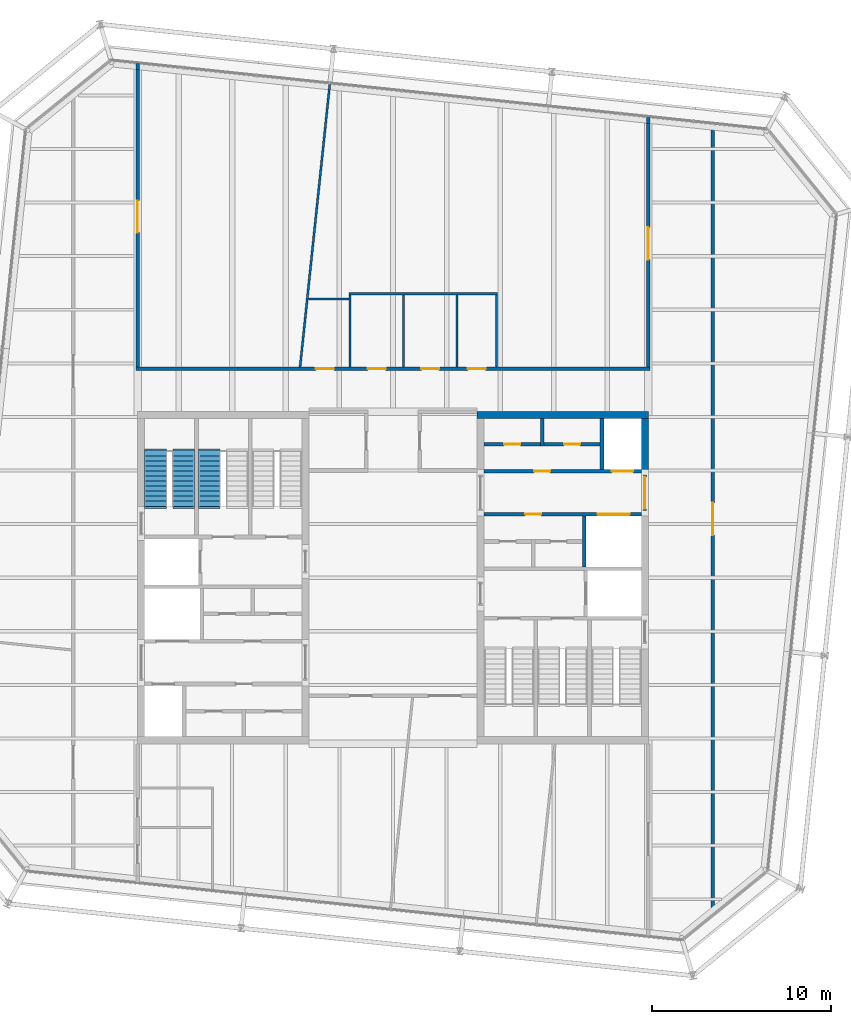
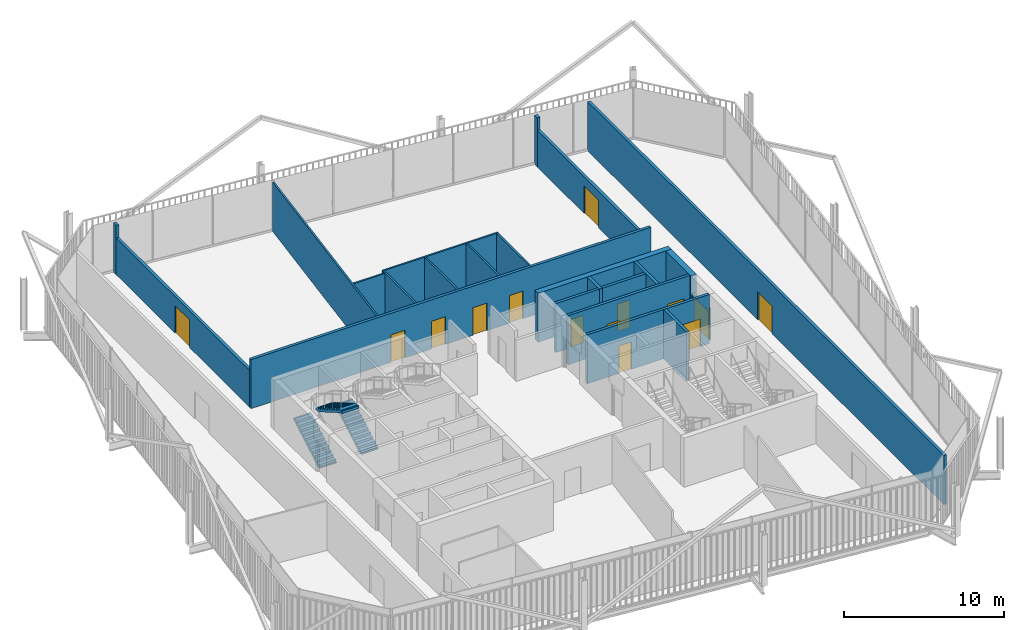
# One storey, part 19 of 21: 22 walls, 14 doors, 3 stair flights, 14 openings, 2 elements without a shape of their own.
"""IFC4 building model written with IfcOpenShell, lengths in metres."""

from ifc_helpers import new_model, si_unit, direction, frame, frame_2d, origin, place, context, subcontext, project, spatial, polyline, rectangle, outline, extrude, material, layer, layer_set, type_object, element, fill, aggregate, save


model = new_model("IFC4")

# Units and contexts
model_context = context("Model", 3, precision=1e-05, world=origin(), true_north=direction((0.0, 1.0)))
body_context = subcontext(model_context, "Body", "Model", "MODEL_VIEW")
ifc_project = project(units=[si_unit("LENGTHUNIT", "METRE"), si_unit("AREAUNIT", "SQUARE_METRE"), si_unit("VOLUMEUNIT", "CUBIC_METRE"), si_unit("PLANEANGLEUNIT", "RADIAN"), si_unit("MASSUNIT", "GRAM", prefix="KILO")], contexts=[model_context])

# Site, building, storey
site_placement = place(None, origin())
site = spatial("IfcSite", under=ifc_project, at=site_placement, CompositionType="ELEMENT")
building_placement = place(site_placement, origin())
building = spatial("IfcBuilding", under=site, at=building_placement, Name="Millrace Tower", CompositionType="ELEMENT")
storey_placement = place(building_placement, frame((0.0, 0.0, 326.5)))
storey = spatial("IfcBuildingStorey", under=building, at=storey_placement, Name="L75", CompositionType="ELEMENT", Elevation=326.5)

# Walls
ifc_material_1 = material(Name="Concrete C60", Category="concrete")
ifc_layer_1 = layer(ifc_material_1, 0.39990234375)
ifc_layer_set_1 = layer_set([ifc_layer_1], Name="Concrete C60")
wall_type_1 = type_object("IfcWallType", Name="Core wall 400 Concrete C60", PredefinedType="SHEAR", material=ifc_layer_set_1)
wall_1_placement = place(storey_placement, frame((14.300048828125, 9.10009765625, 0.0), z_axis=(0.0, 0.0, 1.0), x_axis=(-1.0, 0.0, 0.0)))
element("IfcWall", 1, at=wall_1_placement, inside=storey, type_object=wall_type_1, Name="Core wall E L75", PredefinedType="SHEAR", context=body_context, shape_type="SweptSolid", body=[
    extrude(rectangle(XDim=9.60009765625, YDim=0.39990234375, at=frame_2d((4.800048828125, 0.0))), origin(), (0.0, 0.0, 1.0), 3.739990234375),
])
wall_2_placement = place(storey_placement, frame((14.10009765625, 8.89990234375, 0.0), z_axis=(0.0, 0.0, 1.0), x_axis=(0.0, -1.0, 0.0)))
element("IfcWall", 2, at=wall_2_placement, inside=storey, type_object=wall_type_1, Name="Core wall E L75", PredefinedType="SHEAR", context=body_context, shape_type="SweptSolid", body=[
    extrude(rectangle(XDim=3.14990234375, YDim=0.39990234375, at=frame_2d((1.574951171875, 0.0))), origin(), (0.0, 0.0, 1.0), 3.739990234375),
])

# Wall, openings, doors
ifc_material_2 = material(Name="Masonry partition, fire-rated", Category="masonry")
ifc_layer_2 = layer(ifc_material_2, 0.199951171875)
ifc_layer_set_2 = layer_set([ifc_layer_2], Name="Masonry partition, fire-rated")
wall_type_2 = type_object("IfcWallType", Name="Corridor wall 200", PredefinedType="PARTITIONING", material=ifc_layer_set_2)
wall_3_placement = place(storey_placement, frame((-14.39990234375, 11.699951171875, 0.0), z_axis=(0.0, 0.0, 1.0), x_axis=(1.0, 0.0, 0.0)))
wall_3 = element("IfcWall", 3, at=wall_3_placement, inside=storey, type_object=wall_type_2, Name="Corridor wall L75", PredefinedType="PARTITIONING", context=body_context, shape_type="SweptSolid", body=[
    extrude(rectangle(XDim=28.7998046875, YDim=0.199951171875, at=frame_2d((14.39990234375, 0.0))), origin(), (0.0, 0.0, 1.0), 3.739990234375),
])
opening_1_placement = place(wall_3_placement, frame((10.089111328125, 0.0, 0.0)))
opening_1 = element("IfcOpeningElement", 4, at=opening_1_placement, cuts=wall_3, Name="Opening 75-P007", PredefinedType="OPENING", context=body_context, shape_type="SweptSolid", body=[
    extrude(rectangle(XDim=1.0, YDim=2.10009765625, at=frame_2d((0.5, 1.050048828125))), frame((0.0, 0.10986328125, 0.0), z_axis=(0.0, -1.0, 0.0), x_axis=(1.0, 0.0, 0.0)), (0.0, 0.0, 1.0), 0.219970703125),
])
opening_2_placement = place(wall_3_placement, frame((12.989013671875, 0.0, 0.0)))
opening_2 = element("IfcOpeningElement", 5, at=opening_2_placement, cuts=wall_3, Name="Opening 75-P014", PredefinedType="OPENING", context=body_context, shape_type="SweptSolid", body=[
    extrude(rectangle(XDim=1.0, YDim=2.10009765625, at=frame_2d((0.5, 1.050048828125))), frame((0.0, 0.10986328125, 0.0), z_axis=(0.0, -1.0, 0.0), x_axis=(1.0, 0.0, 0.0)), (0.0, 0.0, 1.0), 0.219970703125),
])
opening_3_placement = place(wall_3_placement, frame((15.989013671875, 0.0, 0.0)))
opening_3 = element("IfcOpeningElement", 6, at=opening_3_placement, cuts=wall_3, Name="Opening 75-P015", PredefinedType="OPENING", context=body_context, shape_type="SweptSolid", body=[
    extrude(rectangle(XDim=1.0, YDim=2.10009765625, at=frame_2d((0.5, 1.050048828125))), frame((0.0, 0.10986328125, 0.0), z_axis=(0.0, -1.0, 0.0), x_axis=(1.0, 0.0, 0.0)), (0.0, 0.0, 1.0), 0.219970703125),
])
opening_4_placement = place(wall_3_placement, frame((18.589111328125, 0.0, 0.0)))
opening_4 = element("IfcOpeningElement", 7, at=opening_4_placement, cuts=wall_3, Name="Opening 75-P016", PredefinedType="OPENING", context=body_context, shape_type="SweptSolid", body=[
    extrude(rectangle(XDim=1.0, YDim=2.10009765625, at=frame_2d((0.5, 1.050048828125))), frame((0.0, 0.10986328125, 0.0), z_axis=(0.0, -1.0, 0.0), x_axis=(1.0, 0.0, 0.0)), (0.0, 0.0, 1.0), 0.219970703125),
])
ifc_material_3 = material(Name="Steel door set, fire-rated", Category="steel")
door_type_1 = type_object("IfcDoorType", Name="Corridor door 1000 x 2100", OperationType="SINGLE_SWING_LEFT", PredefinedType="DOOR", material=ifc_material_3)
door_1_placement = place(opening_1_placement, origin())
door_1 = element("IfcDoor", 8, at=door_1_placement, inside=storey, type_object=door_type_1, Name="Door 75-P007", OperationType="SINGLE_SWING_LEFT", OverallHeight=2.10009765625, OverallWidth=1.0, PredefinedType="DOOR", context=body_context, shape_type="SweptSolid", body=[
    extrude(rectangle(XDim=1.0, YDim=2.10009765625, at=frame_2d((0.5, 1.050048828125))), frame((0.0, 0.02490234375, 0.0), z_axis=(0.0, -1.0, 0.0), x_axis=(1.0, 0.0, 0.0)), (0.0, 0.0, 1.0), 0.050048828125),
])
fill(opening_1, door_1)
door_2_placement = place(opening_2_placement, origin())
door_2 = element("IfcDoor", 9, at=door_2_placement, inside=storey, type_object=door_type_1, Name="Door 75-P014", OperationType="SINGLE_SWING_LEFT", OverallHeight=2.10009765625, OverallWidth=1.0, PredefinedType="DOOR", context=body_context, shape_type="SweptSolid", body=[
    extrude(rectangle(XDim=1.0, YDim=2.10009765625, at=frame_2d((0.5, 1.050048828125))), frame((0.0, 0.02490234375, 0.0), z_axis=(0.0, -1.0, 0.0), x_axis=(1.0, 0.0, 0.0)), (0.0, 0.0, 1.0), 0.050048828125),
])
fill(opening_2, door_2)
door_3_placement = place(opening_3_placement, origin())
door_3 = element("IfcDoor", 10, at=door_3_placement, inside=storey, type_object=door_type_1, Name="Door 75-P015", OperationType="SINGLE_SWING_RIGHT", OverallHeight=2.10009765625, OverallWidth=1.0, PredefinedType="DOOR", context=body_context, shape_type="SweptSolid", body=[
    extrude(rectangle(XDim=1.0, YDim=2.10009765625, at=frame_2d((0.5, 1.050048828125))), frame((0.0, 0.02490234375, 0.0), z_axis=(0.0, -1.0, 0.0), x_axis=(1.0, 0.0, 0.0)), (0.0, 0.0, 1.0), 0.050048828125),
])
fill(opening_3, door_3)
door_4_placement = place(opening_4_placement, origin())
door_4 = element("IfcDoor", 11, at=door_4_placement, inside=storey, type_object=door_type_1, Name="Door 75-P016", OperationType="SINGLE_SWING_RIGHT", OverallHeight=2.10009765625, OverallWidth=1.0, PredefinedType="DOOR", context=body_context, shape_type="SweptSolid", body=[
    extrude(rectangle(XDim=1.0, YDim=2.10009765625, at=frame_2d((0.5, 1.050048828125))), frame((0.0, 0.02490234375, 0.0), z_axis=(0.0, -1.0, 0.0), x_axis=(1.0, 0.0, 0.0)), (0.0, 0.0, 1.0), 0.050048828125),
])
fill(opening_4, door_4)

# Wall, opening, door
wall_4_placement = place(storey_placement, frame((17.89990234375, -19.042236328125, 0.0), z_axis=(0.0, 0.0, 1.0), x_axis=(0.0, 1.0, 0.0)))
wall_4 = element("IfcWall", 12, at=wall_4_placement, inside=storey, type_object=wall_type_2, Name="Corridor wall L75", PredefinedType="PARTITIONING", context=body_context, shape_type="SweptSolid", body=[
    extrude(rectangle(XDim=44.437255859375, YDim=0.199951171875, at=frame_2d((22.21875, 0.0))), origin(), (0.0, 0.0, 1.0), 3.739990234375),
])
opening_5_placement = place(wall_4_placement, frame((21.42578125, 0.0, 0.0)))
opening_5 = element("IfcOpeningElement", 13, at=opening_5_placement, cuts=wall_4, Name="Opening 75-P008", PredefinedType="OPENING", context=body_context, shape_type="SweptSolid", body=[
    extrude(rectangle(XDim=1.800048828125, YDim=2.10009765625, at=frame_2d((0.89990234375, 1.050048828125))), frame((0.0, 0.10986328125, 0.0), z_axis=(0.0, -1.0, 0.0), x_axis=(1.0, 0.0, 0.0)), (0.0, 0.0, 1.0), 0.219970703125),
])
ifc_material_4 = material(Name="Steel door set, fire-rated", Category="steel")
door_type_2 = type_object("IfcDoorType", Name="Corridor door 1800 x 2100", OperationType="DOUBLE_DOOR_SINGLE_SWING", PredefinedType="DOOR", material=ifc_material_4)
door_5_placement = place(opening_5_placement, origin())
door_5 = element("IfcDoor", 14, at=door_5_placement, inside=storey, type_object=door_type_2, Name="Door 75-P008", OperationType="DOUBLE_DOOR_SINGLE_SWING", OverallHeight=2.10009765625, OverallWidth=1.800048828125, PredefinedType="DOOR", context=body_context, shape_type="SweptSolid", body=[
    extrude(rectangle(XDim=1.800048828125, YDim=2.10009765625, at=frame_2d((0.89990234375, 1.050048828125))), frame((0.0, 0.02490234375, 0.0), z_axis=(0.0, -1.0, 0.0), x_axis=(1.0, 0.0, 0.0)), (0.0, 0.0, 1.0), 0.050048828125),
])
fill(opening_5, door_5)

wall_5_placement = place(storey_placement, frame((14.300048828125, 11.800048828125, 0.0), z_axis=(0.0, 0.0, 1.0), x_axis=(0.0, 1.0, 0.0)))
wall_5 = element("IfcWall", 15, at=wall_5_placement, inside=storey, type_object=wall_type_2, Name="Corridor wall L75", PredefinedType="PARTITIONING", context=body_context, shape_type="SweptSolid", body=[
    extrude(rectangle(XDim=13.63427734375, YDim=0.199951171875, at=frame_2d((6.817138671875, 0.0))), origin(), (0.0, 0.0, 1.0), 2.79248046875),
])
opening_6_placement = place(wall_5_placement, frame((6.011474609375, 0.0, 0.0)))
opening_6 = element("IfcOpeningElement", 16, at=opening_6_placement, cuts=wall_5, Name="Opening 75-P006", PredefinedType="OPENING", context=body_context, shape_type="SweptSolid", body=[
    extrude(rectangle(XDim=1.800048828125, YDim=2.10009765625, at=frame_2d((0.89990234375, 1.050048828125))), frame((0.0, 0.10986328125, 0.0), z_axis=(0.0, -1.0, 0.0), x_axis=(1.0, 0.0, 0.0)), (0.0, 0.0, 1.0), 0.219970703125),
])
door_6_placement = place(opening_6_placement, frame((1.800048828125, 0.0, 0.0), z_axis=(0.0, 0.0, 1.0), x_axis=(-1.0, 0.0, 0.0)))
door_6 = element("IfcDoor", 17, at=door_6_placement, inside=storey, type_object=door_type_2, Name="Door 75-P006", OperationType="DOUBLE_DOOR_SINGLE_SWING", OverallHeight=2.10009765625, OverallWidth=1.800048828125, PredefinedType="DOOR", context=body_context, shape_type="SweptSolid", body=[
    extrude(rectangle(XDim=1.800048828125, YDim=2.10009765625, at=frame_2d((0.89990234375, 1.050048828125))), frame((0.0, 0.02490234375, 0.0), z_axis=(0.0, -1.0, 0.0), x_axis=(1.0, 0.0, 0.0)), (0.0, 0.0, 1.0), 0.050048828125),
])
fill(opening_6, door_6)

# Wall
wall_6_placement = place(storey_placement, frame((14.300048828125, 25.434326171875, 0.0), z_axis=(0.0, 0.0, 1.0), x_axis=(0.0, 1.0, 0.0)))
element("IfcWall", 18, at=wall_6_placement, inside=storey, type_object=wall_type_2, Name="Corridor wall L75", PredefinedType="PARTITIONING", context=body_context, shape_type="SweptSolid", body=[
    extrude(rectangle(XDim=0.339111328125, YDim=0.199951171875, at=frame_2d((0.16943359375, 0.0))), origin(), (0.0, 0.0, 1.0), 3.739990234375),
])

# Wall, opening, door
wall_7_placement = place(storey_placement, frame((-14.300048828125, 11.800048828125, 0.0), z_axis=(0.0, 0.0, 1.0), x_axis=(0.0, 1.0, 0.0)))
wall_7 = element("IfcWall", 19, at=wall_7_placement, inside=storey, type_object=wall_type_2, Name="Corridor wall L75", PredefinedType="PARTITIONING", context=body_context, shape_type="SweptSolid", body=[
    extrude(rectangle(XDim=16.64013671875, YDim=0.199951171875, at=frame_2d((8.320068359375, 0.0))), origin(), (0.0, 0.0, 1.0), 2.79248046875),
])
opening_7_placement = place(wall_7_placement, frame((7.514404296875, 0.0, 0.0)))
opening_7 = element("IfcOpeningElement", 20, at=opening_7_placement, cuts=wall_7, Name="Opening 75-P005", PredefinedType="OPENING", context=body_context, shape_type="SweptSolid", body=[
    extrude(rectangle(XDim=1.800048828125, YDim=2.10009765625, at=frame_2d((0.89990234375, 1.050048828125))), frame((0.0, 0.10986328125, 0.0), z_axis=(0.0, -1.0, 0.0), x_axis=(1.0, 0.0, 0.0)), (0.0, 0.0, 1.0), 0.219970703125),
])
door_7_placement = place(opening_7_placement, origin())
door_7 = element("IfcDoor", 21, at=door_7_placement, inside=storey, type_object=door_type_2, Name="Door 75-P005", OperationType="DOUBLE_DOOR_SINGLE_SWING", OverallHeight=2.10009765625, OverallWidth=1.800048828125, PredefinedType="DOOR", context=body_context, shape_type="SweptSolid", body=[
    extrude(rectangle(XDim=1.800048828125, YDim=2.10009765625, at=frame_2d((0.89990234375, 1.050048828125))), frame((0.0, 0.02490234375, 0.0), z_axis=(0.0, -1.0, 0.0), x_axis=(1.0, 0.0, 0.0)), (0.0, 0.0, 1.0), 0.050048828125),
])
fill(opening_7, door_7)

# Wall
wall_8_placement = place(storey_placement, frame((-14.300048828125, 28.440185546875, 0.0), z_axis=(0.0, 0.0, 1.0), x_axis=(0.0, 1.0, 0.0)))
element("IfcWall", 22, at=wall_8_placement, inside=storey, type_object=wall_type_2, Name="Corridor wall L75", PredefinedType="PARTITIONING", context=body_context, shape_type="SweptSolid", body=[
    extrude(rectangle(XDim=0.33935546875, YDim=0.199951171875, at=frame_2d((0.169677734375, 0.0))), origin(), (0.0, 0.0, 1.0), 3.739990234375),
])

# Wall, openings, doors
ifc_material_5 = material(Name="Masonry partition, fire-rated", Category="masonry")
ifc_layer_3 = layer(ifc_material_5, 0.199951171875)
ifc_layer_set_3 = layer_set([ifc_layer_3], Name="Masonry partition, fire-rated")
wall_type_3 = type_object("IfcWallType", Name="Lift shaft wall 200", PredefinedType="PARTITIONING", material=ifc_layer_set_3)
wall_9_placement = place(storey_placement, frame((13.89990234375, 5.949951171875, 0.0), z_axis=(0.0, 0.0, 1.0), x_axis=(-1.0, 0.0, 0.0)))
wall_9 = element("IfcWall", 23, at=wall_9_placement, inside=storey, type_object=wall_type_3, Name="Lift shaft wall E L75", PredefinedType="PARTITIONING", context=body_context, shape_type="SweptSolid", body=[
    extrude(rectangle(XDim=8.7998046875, YDim=0.199951171875, at=frame_2d((4.39990234375, 0.0))), origin(), (0.0, 0.0, 1.0), 3.739990234375),
])
opening_8_placement = place(wall_9_placement, frame((0.449951171875, 0.0, 0.0)))
opening_8 = element("IfcOpeningElement", 24, at=opening_8_placement, cuts=wall_9, Name="Opening 75-LD09", PredefinedType="OPENING", context=body_context, shape_type="SweptSolid", body=[
    extrude(rectangle(XDim=1.199951171875, YDim=2.10009765625, at=frame_2d((0.60009765625, 1.050048828125))), frame((0.0, 0.10986328125, 0.0), z_axis=(0.0, -1.0, 0.0), x_axis=(1.0, 0.0, 0.0)), (0.0, 0.0, 1.0), 0.219970703125),
])
opening_9_placement = place(wall_9_placement, frame((5.10009765625, 0.0, 0.0)))
opening_9 = element("IfcOpeningElement", 25, at=opening_9_placement, cuts=wall_9, Name="Opening 75-C017", PredefinedType="OPENING", context=body_context, shape_type="SweptSolid", body=[
    extrude(rectangle(XDim=0.89990234375, YDim=2.10009765625, at=frame_2d((0.449951171875, 1.050048828125))), frame((0.0, 0.10986328125, 0.0), z_axis=(0.0, -1.0, 0.0), x_axis=(1.0, 0.0, 0.0)), (0.0, 0.0, 1.0), 0.219970703125),
])
ifc_material_6 = material(Name="Stainless steel, fire-rated", Category="steel")
door_type_3 = type_object("IfcDoorType", Name="Lift landing door 1200 x 2100", OperationType="DOUBLE_DOOR_SLIDING", PredefinedType="DOOR", material=ifc_material_6)
door_8_placement = place(opening_8_placement, origin())
door_8 = element("IfcDoor", 26, at=door_8_placement, inside=storey, type_object=door_type_3, Name="Lift landing door LF9 L75", OperationType="DOUBLE_DOOR_SLIDING", OverallHeight=2.10009765625, OverallWidth=1.199951171875, PredefinedType="DOOR", context=body_context, shape_type="SweptSolid", body=[
    extrude(rectangle(XDim=1.199951171875, YDim=2.10009765625, at=frame_2d((0.60009765625, 1.050048828125))), frame((0.0, 0.02490234375, 0.0), z_axis=(0.0, -1.0, 0.0), x_axis=(1.0, 0.0, 0.0)), (0.0, 0.0, 1.0), 0.050048828125),
])
fill(opening_8, door_8)
ifc_material_7 = material(Name="Steel door, fire-rated", Category="steel")
door_type_4 = type_object("IfcDoorType", Name="Service room door 900 x 2100", OperationType="SINGLE_SWING_LEFT", PredefinedType="DOOR", material=ifc_material_7)
door_9_placement = place(opening_9_placement, origin())
door_9 = element("IfcDoor", 27, at=door_9_placement, inside=storey, type_object=door_type_4, Name="Service room door 75-C017", OperationType="SINGLE_SWING_RIGHT", OverallHeight=2.10009765625, OverallWidth=0.89990234375, PredefinedType="DOOR", context=body_context, shape_type="SweptSolid", body=[
    extrude(rectangle(XDim=0.89990234375, YDim=2.10009765625, at=frame_2d((0.449951171875, 1.050048828125))), frame((0.0, 0.02490234375, 0.0), z_axis=(0.0, -1.0, 0.0), x_axis=(1.0, 0.0, 0.0)), (0.0, 0.0, 1.0), 0.050048828125),
])
fill(opening_9, door_9)

wall_10_placement = place(storey_placement, frame((13.89990234375, 3.550048828125, 0.0), z_axis=(0.0, 0.0, 1.0), x_axis=(-1.0, 0.0, 0.0)))
wall_10 = element("IfcWall", 28, at=wall_10_placement, inside=storey, type_object=wall_type_3, Name="Lift shaft wall E L75", PredefinedType="PARTITIONING", context=body_context, shape_type="SweptSolid", body=[
    extrude(rectangle(XDim=8.7998046875, YDim=0.199951171875, at=frame_2d((4.39990234375, 0.0))), origin(), (0.0, 0.0, 1.0), 3.739990234375),
])
opening_10_placement = place(wall_10_placement, frame((0.64990234375, 0.0, 0.0)))
opening_10 = element("IfcOpeningElement", 29, at=opening_10_placement, cuts=wall_10, Name="Opening 75-LD13", PredefinedType="OPENING", context=body_context, shape_type="SweptSolid", body=[
    extrude(rectangle(XDim=1.800048828125, YDim=2.10009765625, at=frame_2d((0.89990234375, 1.050048828125))), frame((0.0, 0.10986328125, 0.0), z_axis=(0.0, -1.0, 0.0), x_axis=(1.0, 0.0, 0.0)), (0.0, 0.0, 1.0), 0.219970703125),
])
opening_11_placement = place(wall_10_placement, frame((5.60009765625, 0.0, 0.0)))
opening_11 = element("IfcOpeningElement", 30, at=opening_11_placement, cuts=wall_10, Name="Opening 75-C020", PredefinedType="OPENING", context=body_context, shape_type="SweptSolid", body=[
    extrude(rectangle(XDim=0.89990234375, YDim=2.10009765625, at=frame_2d((0.449951171875, 1.050048828125))), frame((0.0, 0.10986328125, 0.0), z_axis=(0.0, -1.0, 0.0), x_axis=(1.0, 0.0, 0.0)), (0.0, 0.0, 1.0), 0.219970703125),
])
ifc_material_8 = material(Name="Stainless steel, fire-rated", Category="steel")
door_type_5 = type_object("IfcDoorType", Name="Lift landing door 1800 x 2100", OperationType="DOUBLE_DOOR_SLIDING", PredefinedType="DOOR", material=ifc_material_8)
door_10_placement = place(opening_10_placement, origin())
door_10 = element("IfcDoor", 31, at=door_10_placement, inside=storey, type_object=door_type_5, Name="Lift landing door LF13 L75", OperationType="DOUBLE_DOOR_SLIDING", OverallHeight=2.10009765625, OverallWidth=1.800048828125, PredefinedType="DOOR", context=body_context, shape_type="SweptSolid", body=[
    extrude(rectangle(XDim=1.800048828125, YDim=2.10009765625, at=frame_2d((0.89990234375, 1.050048828125))), frame((0.0, 0.02490234375, 0.0), z_axis=(0.0, -1.0, 0.0), x_axis=(1.0, 0.0, 0.0)), (0.0, 0.0, 1.0), 0.050048828125),
])
fill(opening_10, door_10)
door_11_placement = place(opening_11_placement, frame((0.89990234375, 0.0, 0.0), z_axis=(0.0, 0.0, 1.0), x_axis=(-1.0, 0.0, 0.0)))
door_11 = element("IfcDoor", 32, at=door_11_placement, inside=storey, type_object=door_type_4, Name="Service room door 75-C020", OperationType="SINGLE_SWING_LEFT", OverallHeight=2.10009765625, OverallWidth=0.89990234375, PredefinedType="DOOR", context=body_context, shape_type="SweptSolid", body=[
    extrude(rectangle(XDim=0.89990234375, YDim=2.10009765625, at=frame_2d((0.449951171875, 1.050048828125))), frame((0.0, 0.02490234375, 0.0), z_axis=(0.0, -1.0, 0.0), x_axis=(1.0, 0.0, 0.0)), (0.0, 0.0, 1.0), 0.050048828125),
])
fill(opening_11, door_11)

# Walls
for number, where, z_axis, x_axis, name in (
    (33, (11.699951171875, 8.89990234375, 0.0), (0.0, 0.0, 1.0), (0.0, -1.0, 0.0), "Lift shaft wall E L75"),
    (34, (10.699951171875, 3.449951171875, 0.0), (0.0, 0.0, 1.0), (0.0, -1.0, 0.0), "Lift shaft wall E L75"),
):
    element("IfcWall", number, at=place(storey_placement, frame(where, z_axis=z_axis, x_axis=x_axis)), inside=storey, type_object=wall_type_3, Name=name, PredefinedType="PARTITIONING", context=body_context, shape_type="SweptSolid", body=[
        extrude(rectangle(XDim=2.849853515625, YDim=0.199951171875, at=frame_2d((1.4248046875, 0.0))), origin(), (0.0, 0.0, 1.0), 3.739990234375),
    ])

# Wall, opening, door
ifc_material_9 = material(Name="Masonry partition, fire-rated", Category="masonry")
ifc_layer_4 = layer(ifc_material_9, 0.199951171875)
ifc_layer_set_4 = layer_set([ifc_layer_4], Name="Masonry partition, fire-rated")
wall_type_4 = type_object("IfcWallType", Name="Lobby wall 200", PredefinedType="PARTITIONING", material=ifc_layer_set_4)
wall_11_placement = place(storey_placement, frame((14.10009765625, 5.75, 0.0), z_axis=(0.0, 0.0, 1.0), x_axis=(0.0, -1.0, 0.0)))
wall_11 = element("IfcWall", 35, at=wall_11_placement, inside=storey, type_object=wall_type_4, Name="Lobby wall E L75", PredefinedType="PARTITIONING", context=body_context, shape_type="SweptSolid", body=[
    extrude(rectangle(XDim=2.0, YDim=0.199951171875, at=frame_2d((1.0, 0.0))), origin(), (0.0, 0.0, 1.0), 2.39990234375),
])
opening_12_placement = place(wall_11_placement, frame((0.10009765625, 0.0, 0.0)))
opening_12 = element("IfcOpeningElement", 36, at=opening_12_placement, cuts=wall_11, Name="Opening 75-C013", PredefinedType="OPENING", context=body_context, shape_type="SweptSolid", body=[
    extrude(rectangle(XDim=1.800048828125, YDim=2.10009765625, at=frame_2d((0.89990234375, 1.050048828125))), frame((0.0, 0.10986328125, 0.0), z_axis=(0.0, -1.0, 0.0), x_axis=(1.0, 0.0, 0.0)), (0.0, 0.0, 1.0), 0.219970703125),
])
ifc_material_10 = material(Name="Steel door, fire-rated", Category="steel")
door_type_6 = type_object("IfcDoorType", Name="Lobby door 1800 x 2100", OperationType="DOUBLE_DOOR_SINGLE_SWING", PredefinedType="DOOR", material=ifc_material_10)
door_12_placement = place(opening_12_placement, origin())
door_12 = element("IfcDoor", 37, at=door_12_placement, inside=storey, type_object=door_type_6, Name="Lobby door 75-C013", OperationType="DOUBLE_DOOR_SINGLE_SWING", OverallHeight=2.10009765625, OverallWidth=1.800048828125, PredefinedType="DOOR", context=body_context, shape_type="SweptSolid", body=[
    extrude(rectangle(XDim=1.800048828125, YDim=2.10009765625, at=frame_2d((0.89990234375, 1.050048828125))), frame((0.0, 0.02490234375, 0.0), z_axis=(0.0, -1.0, 0.0), x_axis=(1.0, 0.0, 0.0)), (0.0, 0.0, 1.0), 0.050048828125),
])
fill(opening_12, door_12)

# Walls
ifc_material_11 = material(Name="Gypsum board partition")
ifc_layer_5 = layer(ifc_material_11, 0.1201171875)
ifc_layer_set_5 = layer_set([ifc_layer_5], Name="Gypsum board partition")
wall_type_5 = type_object("IfcWallType", Name="Partition wall 120", PredefinedType="PARTITIONING", material=ifc_layer_set_5)
wall_12_placement = place(storey_placement, frame((-4.740966796875, 15.60009765625, 0.0), z_axis=(0.0, 0.0, 1.0), x_axis=(1.0, 0.0, 0.0)))
element("IfcWall", 38, at=wall_12_placement, inside=storey, type_object=wall_type_5, Name="Partition wall L75", PredefinedType="PARTITIONING", context=body_context, shape_type="SweptSolid", body=[
    extrude(rectangle(XDim=2.27001953125, YDim=0.1201171875, at=frame_2d((1.135009765625, 0.0))), origin(), (0.0, 0.0, 1.0), 3.739990234375),
])
wall_13_placement = place(storey_placement, frame((-2.470947265625, 15.89990234375, 0.0), z_axis=(0.0, 0.0, 1.0), x_axis=(1.0, 0.0, 0.0)))
element("IfcWall", 39, at=wall_13_placement, inside=storey, type_object=wall_type_5, Name="Partition wall L75", PredefinedType="PARTITIONING", context=body_context, shape_type="SweptSolid", body=[
    extrude(rectangle(XDim=8.320068359375, YDim=0.1201171875, at=frame_2d((4.16015625, 0.0))), origin(), (0.0, 0.0, 1.0), 3.739990234375),
])
wall_14_placement = place(storey_placement, frame((-5.200439453125, 11.799560546875, 0.0), z_axis=(0.0, 0.0, 1.0), x_axis=(0.10453086604, 0.994521642824, 0.0)))
element("IfcWall", 40, at=wall_14_placement, inside=storey, type_object=wall_type_5, Name="Partition wall L75", PredefinedType="PARTITIONING", context=body_context, shape_type="SweptSolid", body=[
    extrude(rectangle(XDim=15.935791015625, YDim=0.1201171875, at=frame_2d((7.9677734375, 0.0))), origin(), (0.0, 0.0, 1.0), 3.739990234375),
])
for number, where, z_axis, x_axis, name in (
    (41, (5.7890625, 11.800048828125, 0.0), (0.0, 0.0, 1.0), (0.0, 1.0, 0.0), "Partition wall L75"),
    (42, (3.589111328125, 11.800048828125, 0.0), (0.0, 0.0, 1.0), (0.0, 1.0, 0.0), "Partition wall L75"),
    (43, (0.589111328125, 11.800048828125, 0.0), (0.0, 0.0, 1.0), (0.0, 1.0, 0.0), "Partition wall L75"),
    (44, (-2.410888671875, 11.800048828125, 0.0), (0.0, 0.0, 1.0), (0.0, 1.0, 0.0), "Partition wall L75"),
):
    element("IfcWall", number, at=place(storey_placement, frame(where, z_axis=z_axis, x_axis=x_axis)), inside=storey, type_object=wall_type_5, Name=name, PredefinedType="PARTITIONING", context=body_context, shape_type="SweptSolid", body=[
        extrude(rectangle(XDim=4.0400390625, YDim=0.1201171875, at=frame_2d((2.02001953125, 0.0))), origin(), (0.0, 0.0, 1.0), 3.739990234375),
    ])

# Wall, openings, doors
ifc_material_12 = material(Name="Masonry partition, fire-rated", Category="masonry")
ifc_layer_6 = layer(ifc_material_12, 0.199951171875)
ifc_layer_set_6 = layer_set([ifc_layer_6], Name="Masonry partition, fire-rated")
wall_type_6 = type_object("IfcWallType", Name="Room partition 200", PredefinedType="PARTITIONING", material=ifc_layer_set_6)
wall_15_placement = place(storey_placement, frame((11.60009765625, 7.47509765625, 0.0), z_axis=(0.0, 0.0, 1.0), x_axis=(-1.0, 0.0, 0.0)))
wall_15 = element("IfcWall", 45, at=wall_15_placement, inside=storey, type_object=wall_type_6, Name="Room partition E L75", PredefinedType="PARTITIONING", context=body_context, shape_type="SweptSolid", body=[
    extrude(rectangle(XDim=6.5, YDim=0.199951171875, at=frame_2d((3.25, 0.0))), origin(), (0.0, 0.0, 1.0), 3.739990234375),
])
opening_13_placement = place(wall_15_placement, frame((1.125, 0.0, 0.0)))
opening_13 = element("IfcOpeningElement", 46, at=opening_13_placement, cuts=wall_15, Name="Opening 75-C018", PredefinedType="OPENING", context=body_context, shape_type="SweptSolid", body=[
    extrude(rectangle(XDim=0.89990234375, YDim=2.10009765625, at=frame_2d((0.449951171875, 1.050048828125))), frame((0.0, 0.10986328125, 0.0), z_axis=(0.0, -1.0, 0.0), x_axis=(1.0, 0.0, 0.0)), (0.0, 0.0, 1.0), 0.219970703125),
])
opening_14_placement = place(wall_15_placement, frame((4.47509765625, 0.0, 0.0)))
opening_14 = element("IfcOpeningElement", 47, at=opening_14_placement, cuts=wall_15, Name="Opening 75-C019", PredefinedType="OPENING", context=body_context, shape_type="SweptSolid", body=[
    extrude(rectangle(XDim=0.89990234375, YDim=2.10009765625, at=frame_2d((0.449951171875, 1.050048828125))), frame((0.0, 0.10986328125, 0.0), z_axis=(0.0, -1.0, 0.0), x_axis=(1.0, 0.0, 0.0)), (0.0, 0.0, 1.0), 0.219970703125),
])
door_13_placement = place(opening_13_placement, frame((0.89990234375, 0.0, 0.0), z_axis=(0.0, 0.0, 1.0), x_axis=(-1.0, 0.0, 0.0)))
door_13 = element("IfcDoor", 48, at=door_13_placement, inside=storey, type_object=door_type_4, Name="Service room door 75-C018", OperationType="SINGLE_SWING_RIGHT", OverallHeight=2.10009765625, OverallWidth=0.89990234375, PredefinedType="DOOR", context=body_context, shape_type="SweptSolid", body=[
    extrude(rectangle(XDim=0.89990234375, YDim=2.10009765625, at=frame_2d((0.449951171875, 1.050048828125))), frame((0.0, 0.02490234375, 0.0), z_axis=(0.0, -1.0, 0.0), x_axis=(1.0, 0.0, 0.0)), (0.0, 0.0, 1.0), 0.050048828125),
])
fill(opening_13, door_13)
door_14_placement = place(opening_14_placement, frame((0.89990234375, 0.0, 0.0), z_axis=(0.0, 0.0, 1.0), x_axis=(-1.0, 0.0, 0.0)))
door_14 = element("IfcDoor", 49, at=door_14_placement, inside=storey, type_object=door_type_4, Name="Service room door 75-C019", OperationType="SINGLE_SWING_LEFT", OverallHeight=2.10009765625, OverallWidth=0.89990234375, PredefinedType="DOOR", context=body_context, shape_type="SweptSolid", body=[
    extrude(rectangle(XDim=0.89990234375, YDim=2.10009765625, at=frame_2d((0.449951171875, 1.050048828125))), frame((0.0, 0.02490234375, 0.0), z_axis=(0.0, -1.0, 0.0), x_axis=(1.0, 0.0, 0.0)), (0.0, 0.0, 1.0), 0.050048828125),
])
fill(opening_14, door_14)

# Wall
wall_16_placement = place(storey_placement, frame((8.35009765625, 8.89990234375, 0.0), z_axis=(0.0, 0.0, 1.0), x_axis=(0.0, -1.0, 0.0)))
element("IfcWall", 50, at=wall_16_placement, inside=storey, type_object=wall_type_6, Name="Room partition E L75", PredefinedType="PARTITIONING", context=body_context, shape_type="SweptSolid", body=[
    extrude(rectangle(XDim=1.52490234375, YDim=0.199951171875, at=frame_2d((0.762451171875, 0.0))), origin(), (0.0, 0.0, 1.0), 3.739990234375),
])

# Stair, stair flights
ifc_material_13 = material(Name="Concrete C35", Category="concrete")
stair_type = type_object("IfcStairType", Name="Exit stair", PredefinedType="HALF_TURN_STAIR", material=ifc_material_13)
placement = place(storey_placement, origin())
stair_1 = element("IfcStair", 51, at=placement, inside=storey, type_object=stair_type, Name="Stair 1 W L75", PredefinedType="HALF_TURN_STAIR")
ifc_material_14 = material(Name="Concrete C35", Category="concrete")
stair_flight_type = type_object("IfcStairFlightType", Name="Exit stair flight", PredefinedType="STRAIGHT", material=ifc_material_14)
stair_flight_1_placement = place(storey_placement, frame((-13.2900390625, 4.0, 0.0), z_axis=(0.0, 0.0, 1.0), x_axis=(0.0, 1.0, 0.0)))
stair_flight_1 = element("IfcStairFlight", 52, at=stair_flight_1_placement, type_object=stair_flight_type, Name="ST12 flight 1", NumberOfRisers=12, NumberOfTreads=11, PredefinedType="STRAIGHT", RiserHeight=0.1625, TreadLength=0.28, context=body_context, shape_type="SweptSolid", body=[
    extrude(outline(polyline([(-0.1201171875, -0.0400390625), (-0.1201171875, 0.0), (0.0, 0.0), (0.0, 0.16259765625), (0.280029296875, 0.16259765625), (0.280029296875, 0.324951171875), (0.56005859375, 0.324951171875), (0.56005859375, 0.487548828125), (0.840087890625, 0.487548828125), (0.840087890625, 0.64990234375), (1.1201171875, 0.64990234375), (1.1201171875, 0.8125), (1.39990234375, 0.8125), (1.39990234375, 0.97509765625), (1.679931640625, 0.97509765625), (1.679931640625, 1.137451171875), (1.9599609375, 1.137451171875), (1.9599609375, 1.300048828125), (2.239990234375, 1.300048828125), (2.239990234375, 1.46240234375), (2.52001953125, 1.46240234375), (2.52001953125, 1.625), (2.800048828125, 1.625), (2.800048828125, 1.78759765625), (3.080078125, 1.78759765625), (3.080078125, 1.8076171875), (3.199951171875, 1.8076171875), (3.199951171875, 1.6142578125), (3.080078125, 1.6142578125), (0.298583984375, 0.0), (0.298583984375, -0.0400390625), (-0.1201171875, -0.0400390625)])), frame((0.0, 0.60986328125, 0.0), z_axis=(0.0, -1.0, 0.0), x_axis=(1.0, 0.0, 0.0)), (0.0, 0.0, 1.0), 1.219970703125),
])
stair_flight_2_placement = place(storey_placement, frame((-11.7099609375, 7.080078125, 1.949951171875), z_axis=(0.0, 0.0, 1.0), x_axis=(0.0, -1.0, 0.0)))
stair_flight_2 = element("IfcStairFlight", 53, at=stair_flight_2_placement, type_object=stair_flight_type, Name="ST12 flight 2", NumberOfRisers=12, NumberOfTreads=11, PredefinedType="STRAIGHT", RiserHeight=0.1625, TreadLength=0.28, context=body_context, shape_type="SweptSolid", body=[
    extrude(outline(polyline([(-0.1201171875, -0.0400390625), (-0.1201171875, 0.0), (0.0, 0.0), (0.0, 0.16259765625), (0.280029296875, 0.16259765625), (0.280029296875, 0.324951171875), (0.56005859375, 0.324951171875), (0.56005859375, 0.487548828125), (0.840087890625, 0.487548828125), (0.840087890625, 0.64990234375), (1.1201171875, 0.64990234375), (1.1201171875, 0.8125), (1.39990234375, 0.8125), (1.39990234375, 0.97509765625), (1.679931640625, 0.97509765625), (1.679931640625, 1.137451171875), (1.9599609375, 1.137451171875), (1.9599609375, 1.300048828125), (2.239990234375, 1.300048828125), (2.239990234375, 1.46240234375), (2.52001953125, 1.46240234375), (2.52001953125, 1.625), (2.800048828125, 1.625), (2.800048828125, 1.78759765625), (3.080078125, 1.78759765625), (3.080078125, 1.8076171875), (3.199951171875, 1.8076171875), (3.199951171875, 1.6142578125), (3.080078125, 1.6142578125), (0.298583984375, 0.0), (0.298583984375, -0.0400390625), (-0.1201171875, -0.0400390625)])), frame((0.0, 0.60986328125, 0.0), z_axis=(0.0, -1.0, 0.0), x_axis=(1.0, 0.0, 0.0)), (0.0, 0.0, 1.0), 1.219970703125),
])
aggregate(stair_1, [stair_flight_1, stair_flight_2])

# Stair, stair flight
stair_2 = element("IfcStair", 54, at=placement, inside=storey, type_object=stair_type, Name="Stair 2 W L75", PredefinedType="HALF_TURN_STAIR")
stair_flight_3_placement = place(storey_placement, frame((-10.2900390625, 4.0, 0.0), z_axis=(0.0, 0.0, 1.0), x_axis=(0.0, 1.0, 0.0)))
stair_flight_3 = element("IfcStairFlight", 55, at=stair_flight_3_placement, type_object=stair_flight_type, Name="ST12 flight 1", NumberOfRisers=12, NumberOfTreads=11, PredefinedType="STRAIGHT", RiserHeight=0.1625, TreadLength=0.28, context=body_context, shape_type="SweptSolid", body=[
    extrude(outline(polyline([(-0.1201171875, -0.0400390625), (-0.1201171875, 0.0), (0.0, 0.0), (0.0, 0.16259765625), (0.280029296875, 0.16259765625), (0.280029296875, 0.324951171875), (0.56005859375, 0.324951171875), (0.56005859375, 0.487548828125), (0.840087890625, 0.487548828125), (0.840087890625, 0.64990234375), (1.1201171875, 0.64990234375), (1.1201171875, 0.8125), (1.39990234375, 0.8125), (1.39990234375, 0.97509765625), (1.679931640625, 0.97509765625), (1.679931640625, 1.137451171875), (1.9599609375, 1.137451171875), (1.9599609375, 1.300048828125), (2.239990234375, 1.300048828125), (2.239990234375, 1.46240234375), (2.52001953125, 1.46240234375), (2.52001953125, 1.625), (2.800048828125, 1.625), (2.800048828125, 1.78759765625), (3.080078125, 1.78759765625), (3.080078125, 1.8076171875), (3.199951171875, 1.8076171875), (3.199951171875, 1.6142578125), (3.080078125, 1.6142578125), (0.298583984375, 0.0), (0.298583984375, -0.0400390625), (-0.1201171875, -0.0400390625)])), frame((0.0, 0.60986328125, 0.0), z_axis=(0.0, -1.0, 0.0), x_axis=(1.0, 0.0, 0.0)), (0.0, 0.0, 1.0), 1.219970703125),
])
aggregate(stair_2, [stair_flight_3])

save(model, "model.ifc")
